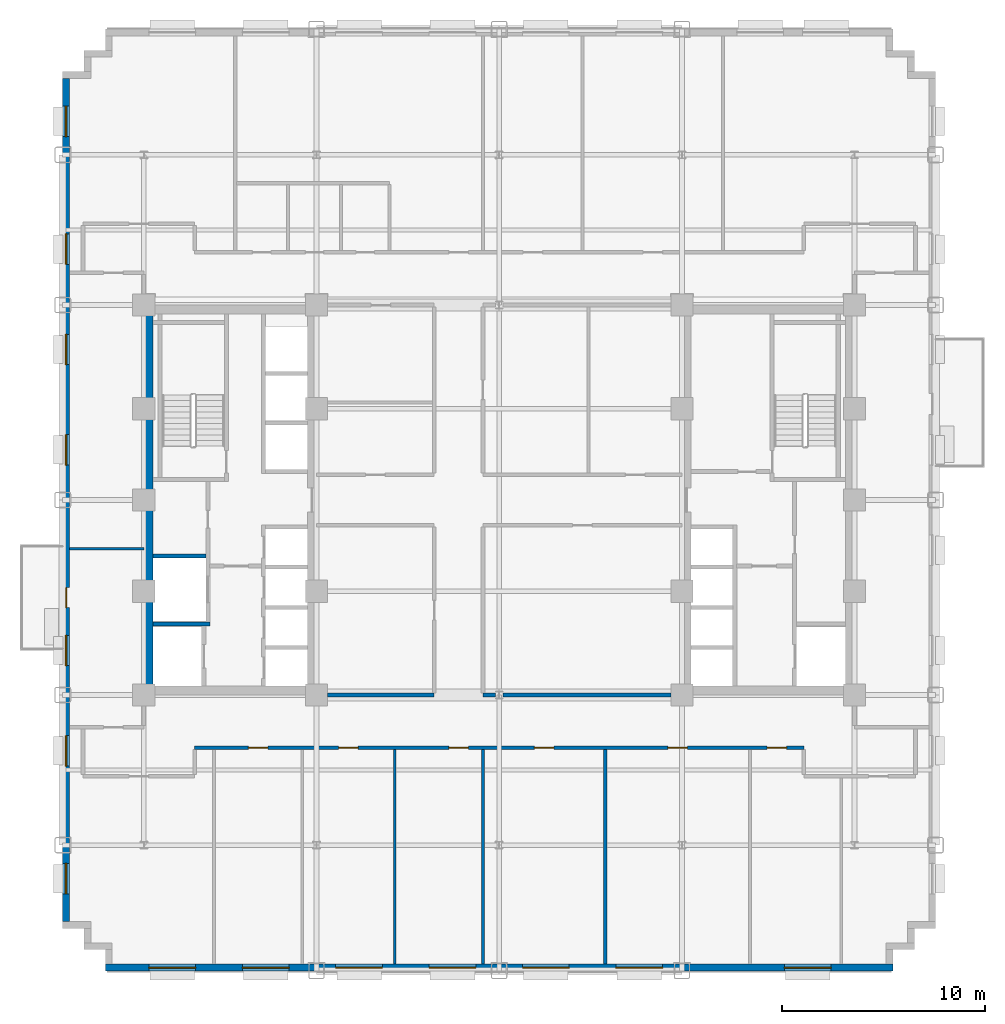
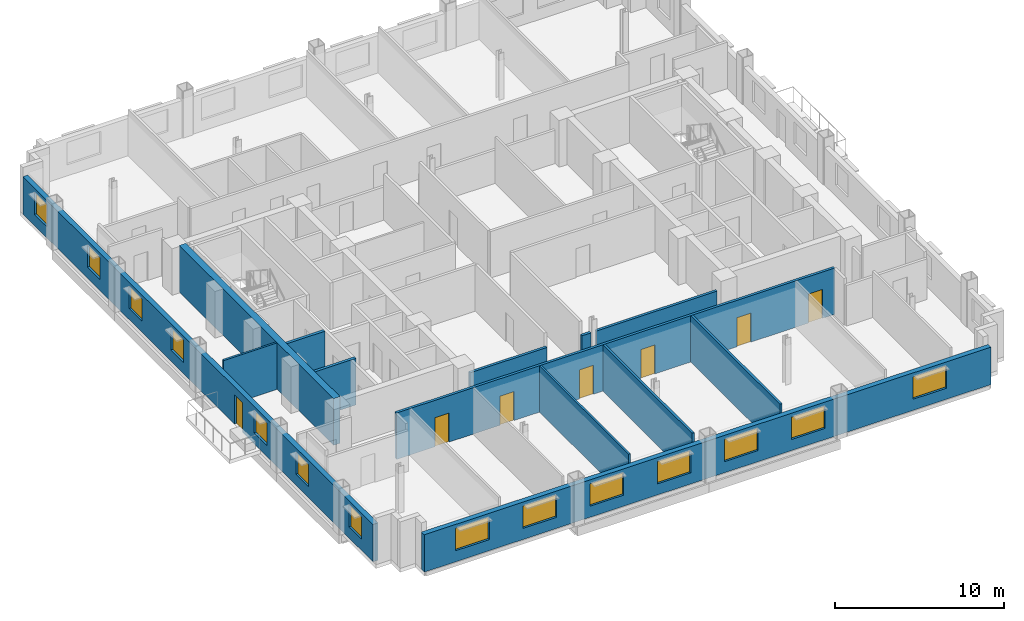
# One storey, part 6 of 14: 14 windows, 13 walls, 7 doors, 21 openings.
"""IFC4 building model written with IfcOpenShell, lengths in metres."""

from ifc_helpers import new_model, si_unit, direction, frame, frame_2d, origin, place, context, subcontext, project, spatial, rectangle, extrude, source, transform, mapped, material, layer, layer_set, type_object, type_shapes, element, fill, save


model = new_model("IFC4")

# Units and contexts
model_context = context("Model", 3, precision=1e-05, world=origin(), true_north=direction((0.0, 1.0)))
body_context = subcontext(model_context, "Body", "Model", "MODEL_VIEW")
ifc_project = project(units=[si_unit("LENGTHUNIT", "METRE"), si_unit("AREAUNIT", "SQUARE_METRE"), si_unit("VOLUMEUNIT", "CUBIC_METRE"), si_unit("PLANEANGLEUNIT", "RADIAN"), si_unit("MASSUNIT", "GRAM", prefix="KILO")], contexts=[model_context])

# Site, building, storey
site_placement = place(None, origin())
site = spatial("IfcSite", under=ifc_project, at=site_placement, CompositionType="ELEMENT")
building_placement = place(site_placement, origin())
building = spatial("IfcBuilding", under=site, at=building_placement, Name="Nuvemarco Arch Tower", CompositionType="ELEMENT")
storey_placement = place(building_placement, frame((0.0, 0.0, 71.39990234375)))
storey = spatial("IfcBuildingStorey", under=building, at=storey_placement, Name="L18", CompositionType="ELEMENT", Elevation=71.39990234375)

# Wall, openings, windows
ifc_material_1 = material(Name="Precast concrete C45/55", Category="concrete")
ifc_layer_1 = layer(ifc_material_1, 0.340087890625, Name="EW-LOW-340")
ifc_layer_set_1 = layer_set([ifc_layer_1], Name="Precast concrete C45/55")
wall_type_1 = type_object("IfcWallType", Name="EW-LOW-340", PredefinedType="STANDARD", material=ifc_layer_set_1)
wall_1_placement = place(storey_placement, frame((-19.39990234375, -23.030029296875, 0.0), z_axis=(0.0, 0.0, 1.0), x_axis=(1.0, 0.0, 0.0)))
wall_1 = element("IfcWall", 1, at=wall_1_placement, inside=storey, type_object=wall_type_1, Name="L18 exterior precast facade wall 1", PredefinedType="STANDARD", context=body_context, shape_type="SweptSolid", body=[
    extrude(rectangle(XDim=38.7998046875, YDim=0.340087890625, at=frame_2d((19.39990234375, 0.0))), origin(), (0.0, 0.0, 1.0), 2.705078125),
])
opening_1_placement = place(wall_1_placement, frame((2.14990234375, 0.0, 0.800048828125)))
opening_1 = element("IfcOpeningElement", 2, at=opening_1_placement, cuts=wall_1, Name="Opening WN-10", PredefinedType="OPENING", context=body_context, shape_type="SweptSolid", body=[
    extrude(rectangle(XDim=2.300048828125, YDim=1.6201171875, at=frame_2d((1.14990234375, 0.81005859375))), frame((0.0, 0.179931640625, 0.0), z_axis=(0.0, -1.0, 0.0), x_axis=(1.0, 0.0, 0.0)), (0.0, 0.0, 1.0), 0.360107421875),
])
opening_2_placement = place(wall_1_placement, frame((6.75, 0.0, 0.800048828125)))
opening_2 = element("IfcOpeningElement", 3, at=opening_2_placement, cuts=wall_1, Name="Opening WN-10", PredefinedType="OPENING", context=body_context, shape_type="SweptSolid", body=[
    extrude(rectangle(XDim=2.300048828125, YDim=1.6201171875, at=frame_2d((1.14990234375, 0.81005859375))), frame((0.0, 0.179931640625, 0.0), z_axis=(0.0, -1.0, 0.0), x_axis=(1.0, 0.0, 0.0)), (0.0, 0.0, 1.0), 0.360107421875),
])
opening_3_placement = place(wall_1_placement, frame((11.35009765625, 0.0, 0.800048828125)))
opening_3 = element("IfcOpeningElement", 4, at=opening_3_placement, cuts=wall_1, Name="Opening WN-10", PredefinedType="OPENING", context=body_context, shape_type="SweptSolid", body=[
    extrude(rectangle(XDim=2.300048828125, YDim=1.6201171875, at=frame_2d((1.14990234375, 0.81005859375))), frame((0.0, 0.179931640625, 0.0), z_axis=(0.0, -1.0, 0.0), x_axis=(1.0, 0.0, 0.0)), (0.0, 0.0, 1.0), 0.360107421875),
])
opening_4_placement = place(wall_1_placement, frame((15.949951171875, 0.0, 0.800048828125)))
opening_4 = element("IfcOpeningElement", 5, at=opening_4_placement, cuts=wall_1, Name="Opening WN-10", PredefinedType="OPENING", context=body_context, shape_type="SweptSolid", body=[
    extrude(rectangle(XDim=2.300048828125, YDim=1.6201171875, at=frame_2d((1.14990234375, 0.81005859375))), frame((0.0, 0.179931640625, 0.0), z_axis=(0.0, -1.0, 0.0), x_axis=(1.0, 0.0, 0.0)), (0.0, 0.0, 1.0), 0.360107421875),
])
opening_5_placement = place(wall_1_placement, frame((20.550048828125, 0.0, 0.800048828125)))
opening_5 = element("IfcOpeningElement", 6, at=opening_5_placement, cuts=wall_1, Name="Opening WN-10", PredefinedType="OPENING", context=body_context, shape_type="SweptSolid", body=[
    extrude(rectangle(XDim=2.300048828125, YDim=1.6201171875, at=frame_2d((1.14990234375, 0.81005859375))), frame((0.0, 0.179931640625, 0.0), z_axis=(0.0, -1.0, 0.0), x_axis=(1.0, 0.0, 0.0)), (0.0, 0.0, 1.0), 0.360107421875),
])
opening_6_placement = place(wall_1_placement, frame((25.14990234375, 0.0, 0.800048828125)))
opening_6 = element("IfcOpeningElement", 7, at=opening_6_placement, cuts=wall_1, Name="Opening WN-10", PredefinedType="OPENING", context=body_context, shape_type="SweptSolid", body=[
    extrude(rectangle(XDim=2.300048828125, YDim=1.6201171875, at=frame_2d((1.14990234375, 0.81005859375))), frame((0.0, 0.179931640625, 0.0), z_axis=(0.0, -1.0, 0.0), x_axis=(1.0, 0.0, 0.0)), (0.0, 0.0, 1.0), 0.360107421875),
])
opening_7_placement = place(wall_1_placement, frame((33.449951171875, 0.0, 0.800048828125)))
opening_7 = element("IfcOpeningElement", 8, at=opening_7_placement, cuts=wall_1, Name="Opening WN-10", PredefinedType="OPENING", context=body_context, shape_type="SweptSolid", body=[
    extrude(rectangle(XDim=2.300048828125, YDim=1.6201171875, at=frame_2d((1.14990234375, 0.81005859375))), frame((0.0, 0.179931640625, 0.0), z_axis=(0.0, -1.0, 0.0), x_axis=(1.0, 0.0, 0.0)), (0.0, 0.0, 1.0), 0.360107421875),
])
ifc_material_2 = material(Name="Insulated solar-control glass", Category="glass")
window_type_1 = type_object("IfcWindowType", Name="WN-STEP-2300x1700", PartitioningType="DOUBLE_PANEL_VERTICAL", PredefinedType="WINDOW", material=ifc_material_2)
shared_shape_1 = source(origin(), body_context, "Body", "SweptSolid", [
    extrude(rectangle(XDim=2.300048828125, YDim=1.6201171875, at=frame_2d((1.14990234375, 0.81005859375))), frame((0.0, 0.030029296875, 0.0), z_axis=(0.0, -1.0, 0.0), x_axis=(1.0, 0.0, 0.0)), (0.0, 0.0, 1.0), 0.06005859375),
])
type_shapes(window_type_1, [shared_shape_1])
window_1_placement = place(opening_1_placement, origin())
window_1 = element("IfcWindow", 9, at=window_1_placement, inside=storey, type_object=window_type_1, Name="L18 punched facade window 1", OverallHeight=1.6201171875, OverallWidth=2.300048828125, PartitioningType="SINGLE_PANEL", PredefinedType="WINDOW", context=body_context, shape_type="MappedRepresentation", body=[
    mapped(shared_shape_1, transform((0.0, 0.0, 0.0), scale=1.0)),
])
fill(opening_1, window_1)
window_2_placement = place(opening_2_placement, origin())
window_2 = element("IfcWindow", 10, at=window_2_placement, inside=storey, type_object=window_type_1, Name="L18 punched facade window 2", OverallHeight=1.6201171875, OverallWidth=2.300048828125, PartitioningType="SINGLE_PANEL", PredefinedType="WINDOW", context=body_context, shape_type="MappedRepresentation", body=[
    mapped(shared_shape_1, transform((0.0, 0.0, 0.0), scale=1.0)),
])
fill(opening_2, window_2)
window_3_placement = place(opening_3_placement, origin())
window_3 = element("IfcWindow", 11, at=window_3_placement, inside=storey, type_object=window_type_1, Name="L18 punched facade window 3", OverallHeight=1.6201171875, OverallWidth=2.300048828125, PartitioningType="SINGLE_PANEL", PredefinedType="WINDOW", context=body_context, shape_type="MappedRepresentation", body=[
    mapped(shared_shape_1, transform((0.0, 0.0, 0.0), scale=1.0)),
])
fill(opening_3, window_3)
window_4_placement = place(opening_4_placement, origin())
window_4 = element("IfcWindow", 12, at=window_4_placement, inside=storey, type_object=window_type_1, Name="L18 punched facade window 4", OverallHeight=1.6201171875, OverallWidth=2.300048828125, PartitioningType="SINGLE_PANEL", PredefinedType="WINDOW", context=body_context, shape_type="MappedRepresentation", body=[
    mapped(shared_shape_1, transform((0.0, 0.0, 0.0), scale=1.0)),
])
fill(opening_4, window_4)
window_5_placement = place(opening_5_placement, origin())
window_5 = element("IfcWindow", 13, at=window_5_placement, inside=storey, type_object=window_type_1, Name="L18 punched facade window 5", OverallHeight=1.6201171875, OverallWidth=2.300048828125, PartitioningType="SINGLE_PANEL", PredefinedType="WINDOW", context=body_context, shape_type="MappedRepresentation", body=[
    mapped(shared_shape_1, transform((0.0, 0.0, 0.0), scale=1.0)),
])
fill(opening_5, window_5)
window_6_placement = place(opening_6_placement, origin())
window_6 = element("IfcWindow", 14, at=window_6_placement, inside=storey, type_object=window_type_1, Name="L18 punched facade window 6", OverallHeight=1.6201171875, OverallWidth=2.300048828125, PartitioningType="SINGLE_PANEL", PredefinedType="WINDOW", context=body_context, shape_type="MappedRepresentation", body=[
    mapped(shared_shape_1, transform((0.0, 0.0, 0.0), scale=1.0)),
])
fill(opening_6, window_6)
window_7_placement = place(opening_7_placement, origin())
window_7 = element("IfcWindow", 15, at=window_7_placement, inside=storey, type_object=window_type_1, Name="L18 punched facade window 8", OverallHeight=1.6201171875, OverallWidth=2.300048828125, PartitioningType="SINGLE_PANEL", PredefinedType="WINDOW", context=body_context, shape_type="MappedRepresentation", body=[
    mapped(shared_shape_1, transform((0.0, 0.0, 0.0), scale=1.0)),
])
fill(opening_7, window_7)

# Wall, openings, door, windows
wall_2_placement = place(storey_placement, frame((-21.330078125, -20.763916015625, 0.0), z_axis=(0.0, 0.0, 1.0), x_axis=(0.0, 1.0, 0.0)))
wall_2 = element("IfcWall", 16, at=wall_2_placement, inside=storey, type_object=wall_type_1, Name="L18 exterior precast facade wall 16", PredefinedType="STANDARD", context=body_context, shape_type="SweptSolid", body=[
    extrude(rectangle(XDim=41.52783203125, YDim=0.340087890625, at=frame_2d((20.763916015625, 0.0))), origin(), (0.0, 0.0, 1.0), 2.705078125),
])
opening_8_placement = place(wall_2_placement, frame((15.464111328125, 0.0, 0.0)))
opening_8 = element("IfcOpeningElement", 17, at=opening_8_placement, cuts=wall_2, Name="Opening ED-6", PredefinedType="OPENING", context=body_context, shape_type="SweptSolid", body=[
    extrude(rectangle(XDim=0.97998046875, YDim=2.14990234375, at=frame_2d((0.489990234375, 1.074951171875))), frame((0.0, 0.179931640625, 0.0), z_axis=(0.0, -1.0, 0.0), x_axis=(1.0, 0.0, 0.0)), (0.0, 0.0, 1.0), 0.360107421875),
])
opening_9_placement = place(wall_2_placement, frame((1.37060546875, 0.0, 0.800048828125)))
opening_9 = element("IfcOpeningElement", 18, at=opening_9_placement, cuts=wall_2, Name="Opening WN-11", PredefinedType="OPENING", context=body_context, shape_type="SweptSolid", body=[
    extrude(rectangle(XDim=1.5, YDim=1.60009765625, at=frame_2d((0.75, 0.800048828125))), frame((0.0, 0.179931640625, 0.0), z_axis=(0.0, -1.0, 0.0), x_axis=(1.0, 0.0, 0.0)), (0.0, 0.0, 1.0), 0.360107421875),
])
opening_10_placement = place(wall_2_placement, frame((7.66162109375, 0.0, 0.800048828125)))
opening_10 = element("IfcOpeningElement", 19, at=opening_10_placement, cuts=wall_2, Name="Opening WN-11", PredefinedType="OPENING", context=body_context, shape_type="SweptSolid", body=[
    extrude(rectangle(XDim=1.5, YDim=1.60009765625, at=frame_2d((0.75, 0.800048828125))), frame((0.0, 0.179931640625, 0.0), z_axis=(0.0, -1.0, 0.0), x_axis=(1.0, 0.0, 0.0)), (0.0, 0.0, 1.0), 0.360107421875),
])
opening_11_placement = place(wall_2_placement, frame((12.6025390625, 0.0, 0.800048828125)))
opening_11 = element("IfcOpeningElement", 20, at=opening_11_placement, cuts=wall_2, Name="Opening WN-11", PredefinedType="OPENING", context=body_context, shape_type="SweptSolid", body=[
    extrude(rectangle(XDim=1.5, YDim=1.60009765625, at=frame_2d((0.75, 0.800048828125))), frame((0.0, 0.179931640625, 0.0), z_axis=(0.0, -1.0, 0.0), x_axis=(1.0, 0.0, 0.0)), (0.0, 0.0, 1.0), 0.360107421875),
])
opening_12_placement = place(wall_2_placement, frame((22.484619140625, 0.0, 0.800048828125)))
opening_12 = element("IfcOpeningElement", 21, at=opening_12_placement, cuts=wall_2, Name="Opening WN-11", PredefinedType="OPENING", context=body_context, shape_type="SweptSolid", body=[
    extrude(rectangle(XDim=1.5, YDim=1.60009765625, at=frame_2d((0.75, 0.800048828125))), frame((0.0, 0.179931640625, 0.0), z_axis=(0.0, -1.0, 0.0), x_axis=(1.0, 0.0, 0.0)), (0.0, 0.0, 1.0), 0.360107421875),
])
opening_13_placement = place(wall_2_placement, frame((27.425537109375, 0.0, 0.800048828125)))
opening_13 = element("IfcOpeningElement", 22, at=opening_13_placement, cuts=wall_2, Name="Opening WN-11", PredefinedType="OPENING", context=body_context, shape_type="SweptSolid", body=[
    extrude(rectangle(XDim=1.5, YDim=1.60009765625, at=frame_2d((0.75, 0.800048828125))), frame((0.0, 0.179931640625, 0.0), z_axis=(0.0, -1.0, 0.0), x_axis=(1.0, 0.0, 0.0)), (0.0, 0.0, 1.0), 0.360107421875),
])
opening_14_placement = place(wall_2_placement, frame((32.366455078125, 0.0, 0.800048828125)))
opening_14 = element("IfcOpeningElement", 23, at=opening_14_placement, cuts=wall_2, Name="Opening WN-11", PredefinedType="OPENING", context=body_context, shape_type="SweptSolid", body=[
    extrude(rectangle(XDim=1.5, YDim=1.60009765625, at=frame_2d((0.75, 0.800048828125))), frame((0.0, 0.179931640625, 0.0), z_axis=(0.0, -1.0, 0.0), x_axis=(1.0, 0.0, 0.0)), (0.0, 0.0, 1.0), 0.360107421875),
])
opening_15_placement = place(wall_2_placement, frame((38.657470703125, 0.0, 0.800048828125)))
opening_15 = element("IfcOpeningElement", 24, at=opening_15_placement, cuts=wall_2, Name="Opening WN-11", PredefinedType="OPENING", context=body_context, shape_type="SweptSolid", body=[
    extrude(rectangle(XDim=1.5, YDim=1.60009765625, at=frame_2d((0.75, 0.800048828125))), frame((0.0, 0.179931640625, 0.0), z_axis=(0.0, -1.0, 0.0), x_axis=(1.0, 0.0, 0.0)), (0.0, 0.0, 1.0), 0.360107421875),
])
ifc_material_3 = material(Name="Anodised bronze and laminated glass", Category="glass")
door_type_1 = type_object("IfcDoorType", Name="DR-EXT-BALC", OperationType="NOTDEFINED", PredefinedType="DOOR", material=ifc_material_3)
shared_shape_2 = source(origin(), body_context, "Body", "SweptSolid", [
    extrude(rectangle(XDim=0.97998046875, YDim=2.14990234375, at=frame_2d((0.489990234375, 1.074951171875))), frame((0.0, 0.02490234375, 0.0), z_axis=(0.0, -1.0, 0.0), x_axis=(1.0, 0.0, 0.0)), (0.0, 0.0, 1.0), 0.050048828125),
])
type_shapes(door_type_1, [shared_shape_2])
door_1_placement = place(opening_8_placement, origin())
door_1 = element("IfcDoor", 25, at=door_1_placement, inside=storey, type_object=door_type_1, Name="L18 tree balcony access door", OperationType="SINGLE_SWING_LEFT", OverallHeight=2.14990234375, OverallWidth=0.97998046875, PredefinedType="DOOR", context=body_context, shape_type="MappedRepresentation", body=[
    mapped(shared_shape_2, transform((0.0, 0.0, 0.0), scale=1.0)),
])
fill(opening_8, door_1)
window_type_2 = type_object("IfcWindowType", Name="WN-STEP-1500x1850", PartitioningType="SINGLE_PANEL", PredefinedType="WINDOW", material=ifc_material_2)
shared_shape_3 = source(origin(), body_context, "Body", "SweptSolid", [
    extrude(rectangle(XDim=1.5, YDim=1.60009765625, at=frame_2d((0.75, 0.800048828125))), frame((0.0, 0.030029296875, 0.0), z_axis=(0.0, -1.0, 0.0), x_axis=(1.0, 0.0, 0.0)), (0.0, 0.0, 1.0), 0.06005859375),
])
type_shapes(window_type_2, [shared_shape_3])
window_8_placement = place(opening_9_placement, origin())
window_8 = element("IfcWindow", 26, at=window_8_placement, inside=storey, type_object=window_type_2, Name="L18 punched facade window 1", OverallHeight=1.60009765625, OverallWidth=1.5, PartitioningType="SINGLE_PANEL", PredefinedType="WINDOW", context=body_context, shape_type="MappedRepresentation", body=[
    mapped(shared_shape_3, transform((0.0, 0.0, 0.0), scale=1.0)),
])
fill(opening_9, window_8)
window_9_placement = place(opening_10_placement, origin())
window_9 = element("IfcWindow", 27, at=window_9_placement, inside=storey, type_object=window_type_2, Name="L18 punched facade window 2", OverallHeight=1.60009765625, OverallWidth=1.5, PartitioningType="SINGLE_PANEL", PredefinedType="WINDOW", context=body_context, shape_type="MappedRepresentation", body=[
    mapped(shared_shape_3, transform((0.0, 0.0, 0.0), scale=1.0)),
])
fill(opening_10, window_9)
window_10_placement = place(opening_11_placement, origin())
window_10 = element("IfcWindow", 28, at=window_10_placement, inside=storey, type_object=window_type_2, Name="L18 punched facade window 3", OverallHeight=1.60009765625, OverallWidth=1.5, PartitioningType="SINGLE_PANEL", PredefinedType="WINDOW", context=body_context, shape_type="MappedRepresentation", body=[
    mapped(shared_shape_3, transform((0.0, 0.0, 0.0), scale=1.0)),
])
fill(opening_11, window_10)
window_11_placement = place(opening_12_placement, origin())
window_11 = element("IfcWindow", 29, at=window_11_placement, inside=storey, type_object=window_type_2, Name="L18 punched facade window 5", OverallHeight=1.60009765625, OverallWidth=1.5, PartitioningType="SINGLE_PANEL", PredefinedType="WINDOW", context=body_context, shape_type="MappedRepresentation", body=[
    mapped(shared_shape_3, transform((0.0, 0.0, 0.0), scale=1.0)),
])
fill(opening_12, window_11)
window_12_placement = place(opening_13_placement, origin())
window_12 = element("IfcWindow", 30, at=window_12_placement, inside=storey, type_object=window_type_2, Name="L18 punched facade window 6", OverallHeight=1.60009765625, OverallWidth=1.5, PartitioningType="SINGLE_PANEL", PredefinedType="WINDOW", context=body_context, shape_type="MappedRepresentation", body=[
    mapped(shared_shape_3, transform((0.0, 0.0, 0.0), scale=1.0)),
])
fill(opening_13, window_12)
window_13_placement = place(opening_14_placement, origin())
window_13 = element("IfcWindow", 31, at=window_13_placement, inside=storey, type_object=window_type_2, Name="L18 punched facade window 7", OverallHeight=1.60009765625, OverallWidth=1.5, PartitioningType="SINGLE_PANEL", PredefinedType="WINDOW", context=body_context, shape_type="MappedRepresentation", body=[
    mapped(shared_shape_3, transform((0.0, 0.0, 0.0), scale=1.0)),
])
fill(opening_14, window_13)
window_14_placement = place(opening_15_placement, origin())
window_14 = element("IfcWindow", 32, at=window_14_placement, inside=storey, type_object=window_type_2, Name="L18 punched facade window 8", OverallHeight=1.60009765625, OverallWidth=1.5, PartitioningType="SINGLE_PANEL", PredefinedType="WINDOW", context=body_context, shape_type="MappedRepresentation", body=[
    mapped(shared_shape_3, transform((0.0, 0.0, 0.0), scale=1.0)),
])
fill(opening_15, window_14)

# Wall
ifc_material_4 = material(Name="Concrete C60/75", Category="concrete")
ifc_layer_2 = layer(ifc_material_4, 0.449951171875, Name="WL-CORE-450")
ifc_layer_set_2 = layer_set([ifc_layer_2], Name="Concrete C60/75")
wall_type_2 = type_object("IfcWallType", Name="WL-CORE-450", PredefinedType="SHEAR", material=ifc_layer_set_2)
wall_3_placement = place(storey_placement, frame((-17.27490234375, -9.155029296875, 0.0), z_axis=(0.0, 0.0, 1.0), x_axis=(0.0, 1.0, 0.0)))
element("IfcWall", 33, at=wall_3_placement, inside=storey, type_object=wall_type_2, Name="L18 W-core shear wall W", PredefinedType="SHEAR", context=body_context, shape_type="SweptSolid", body=[
    extrude(rectangle(XDim=18.31005859375, YDim=0.449951171875, at=frame_2d((9.155029296875, 0.0))), origin(), (0.0, 0.0, 1.0), 3.3701171875),
])

# Wall, openings, doors
ifc_material_5 = material(Name="Fire-rated gypsum drywall partition")
ifc_layer_3 = layer(ifc_material_5, 0.179931640625, Name="WL-CORR-180")
ifc_layer_set_3 = layer_set([ifc_layer_3], Name="Fire-rated gypsum drywall partition")
wall_type_3 = type_object("IfcWallType", Name="WL-CORR-180", PredefinedType="PARTITIONING", material=ifc_layer_set_3)
wall_4_placement = place(storey_placement, frame((-15.0, -12.199951171875, 0.0), z_axis=(0.0, 0.0, 1.0), x_axis=(1.0, 0.0, 0.0)))
wall_4 = element("IfcWall", 34, at=wall_4_placement, inside=storey, type_object=wall_type_3, Name="L18 interior wall IW-L18-003", PredefinedType="PARTITIONING", context=body_context, shape_type="SweptSolid", body=[
    extrude(rectangle(XDim=30.0, YDim=0.179931640625, at=frame_2d((15.0, 0.0))), origin(), (0.0, 0.0, 1.0), 3.360107421875),
])
opening_16_placement = place(wall_4_placement, frame((23.31005859375, 0.0, 0.0)))
opening_16 = element("IfcOpeningElement", 35, at=opening_16_placement, cuts=wall_4, Name="Opening FD-5", PredefinedType="OPENING", context=body_context, shape_type="SweptSolid", body=[
    extrude(rectangle(XDim=0.9599609375, YDim=2.10009765625, at=frame_2d((0.47998046875, 1.050048828125))), frame((0.0, 0.099853515625, 0.0), z_axis=(0.0, -1.0, 0.0), x_axis=(1.0, 0.0, 0.0)), (0.0, 0.0, 1.0), 0.199951171875),
])
opening_17_placement = place(wall_4_placement, frame((16.72998046875, 0.0, 0.0)))
opening_17 = element("IfcOpeningElement", 36, at=opening_17_placement, cuts=wall_4, Name="Opening FD-5", PredefinedType="OPENING", context=body_context, shape_type="SweptSolid", body=[
    extrude(rectangle(XDim=0.9599609375, YDim=2.10009765625, at=frame_2d((0.47998046875, 1.050048828125))), frame((0.0, 0.099853515625, 0.0), z_axis=(0.0, -1.0, 0.0), x_axis=(1.0, 0.0, 0.0)), (0.0, 0.0, 1.0), 0.199951171875),
])
opening_18_placement = place(wall_4_placement, frame((7.094970703125, 0.0, 0.0)))
opening_18 = element("IfcOpeningElement", 37, at=opening_18_placement, cuts=wall_4, Name="Opening FD-5", PredefinedType="OPENING", context=body_context, shape_type="SweptSolid", body=[
    extrude(rectangle(XDim=0.9599609375, YDim=2.10009765625, at=frame_2d((0.47998046875, 1.050048828125))), frame((0.0, 0.099853515625, 0.0), z_axis=(0.0, -1.0, 0.0), x_axis=(1.0, 0.0, 0.0)), (0.0, 0.0, 1.0), 0.199951171875),
])
opening_19_placement = place(wall_4_placement, frame((2.64501953125, 0.0, 0.0)))
opening_19 = element("IfcOpeningElement", 38, at=opening_19_placement, cuts=wall_4, Name="Opening FD-5", PredefinedType="OPENING", context=body_context, shape_type="SweptSolid", body=[
    extrude(rectangle(XDim=0.9599609375, YDim=2.10009765625, at=frame_2d((0.47998046875, 1.050048828125))), frame((0.0, 0.099853515625, 0.0), z_axis=(0.0, -1.0, 0.0), x_axis=(1.0, 0.0, 0.0)), (0.0, 0.0, 1.0), 0.199951171875),
])
opening_20_placement = place(wall_4_placement, frame((28.199951171875, 0.0, 0.0)))
opening_20 = element("IfcOpeningElement", 39, at=opening_20_placement, cuts=wall_4, Name="Opening FD-5", PredefinedType="OPENING", context=body_context, shape_type="SweptSolid", body=[
    extrude(rectangle(XDim=0.9599609375, YDim=2.10009765625, at=frame_2d((0.47998046875, 1.050048828125))), frame((0.0, 0.099853515625, 0.0), z_axis=(0.0, -1.0, 0.0), x_axis=(1.0, 0.0, 0.0)), (0.0, 0.0, 1.0), 0.199951171875),
])
opening_21_placement = place(wall_4_placement, frame((12.52001953125, 0.0, 0.0)))
opening_21 = element("IfcOpeningElement", 40, at=opening_21_placement, cuts=wall_4, Name="Opening FD-5", PredefinedType="OPENING", context=body_context, shape_type="SweptSolid", body=[
    extrude(rectangle(XDim=0.9599609375, YDim=2.10009765625, at=frame_2d((0.47998046875, 1.050048828125))), frame((0.0, 0.099853515625, 0.0), z_axis=(0.0, -1.0, 0.0), x_axis=(1.0, 0.0, 0.0)), (0.0, 0.0, 1.0), 0.199951171875),
])
ifc_material_6 = material(Name="Timber fire door", Category="wood")
door_type_2 = type_object("IfcDoorType", Name="DR-CORR-FD", OperationType="NOTDEFINED", PredefinedType="DOOR", material=ifc_material_6)
shared_shape_4 = source(origin(), body_context, "Body", "SweptSolid", [
    extrude(rectangle(XDim=0.9599609375, YDim=2.10009765625, at=frame_2d((0.47998046875, 1.050048828125))), frame((0.0, 0.02490234375, 0.0), z_axis=(0.0, -1.0, 0.0), x_axis=(1.0, 0.0, 0.0)), (0.0, 0.0, 1.0), 0.050048828125),
])
type_shapes(door_type_2, [shared_shape_4])
door_2_placement = place(opening_16_placement, origin())
door_2 = element("IfcDoor", 41, at=door_2_placement, inside=storey, type_object=door_type_2, Name="L18 door DR-L18-S_6", OperationType="SINGLE_SWING_RIGHT", OverallHeight=2.10009765625, OverallWidth=0.9599609375, PredefinedType="DOOR", context=body_context, shape_type="MappedRepresentation", body=[
    mapped(shared_shape_4, transform((0.0, 0.0, 0.0), scale=1.0)),
])
fill(opening_16, door_2)
door_3_placement = place(opening_17_placement, origin())
door_3 = element("IfcDoor", 42, at=door_3_placement, inside=storey, type_object=door_type_2, Name="L18 door DR-L18-S_5", OperationType="SINGLE_SWING_RIGHT", OverallHeight=2.10009765625, OverallWidth=0.9599609375, PredefinedType="DOOR", context=body_context, shape_type="MappedRepresentation", body=[
    mapped(shared_shape_4, transform((0.0, 0.0, 0.0), scale=1.0)),
])
fill(opening_17, door_3)
door_4_placement = place(opening_18_placement, origin())
door_4 = element("IfcDoor", 43, at=door_4_placement, inside=storey, type_object=door_type_2, Name="L18 door DR-L18-S_3", OperationType="SINGLE_SWING_RIGHT", OverallHeight=2.10009765625, OverallWidth=0.9599609375, PredefinedType="DOOR", context=body_context, shape_type="MappedRepresentation", body=[
    mapped(shared_shape_4, transform((0.0, 0.0, 0.0), scale=1.0)),
])
fill(opening_18, door_4)
door_5_placement = place(opening_19_placement, origin())
door_5 = element("IfcDoor", 44, at=door_5_placement, inside=storey, type_object=door_type_2, Name="L18 door DR-L18-S_2", OperationType="SINGLE_SWING_LEFT", OverallHeight=2.10009765625, OverallWidth=0.9599609375, PredefinedType="DOOR", context=body_context, shape_type="MappedRepresentation", body=[
    mapped(shared_shape_4, transform((0.0, 0.0, 0.0), scale=1.0)),
])
fill(opening_19, door_5)
door_6_placement = place(opening_20_placement, origin())
door_6 = element("IfcDoor", 45, at=door_6_placement, inside=storey, type_object=door_type_2, Name="L18 door DR-L18-S_7", OperationType="SINGLE_SWING_RIGHT", OverallHeight=2.10009765625, OverallWidth=0.9599609375, PredefinedType="DOOR", context=body_context, shape_type="MappedRepresentation", body=[
    mapped(shared_shape_4, transform((0.0, 0.0, 0.0), scale=1.0)),
])
fill(opening_20, door_6)
door_7_placement = place(opening_21_placement, origin())
door_7 = element("IfcDoor", 46, at=door_7_placement, inside=storey, type_object=door_type_2, Name="L18 door DR-L18-S_4", OperationType="SINGLE_SWING_RIGHT", OverallHeight=2.10009765625, OverallWidth=0.9599609375, PredefinedType="DOOR", context=body_context, shape_type="MappedRepresentation", body=[
    mapped(shared_shape_4, transform((0.0, 0.0, 0.0), scale=1.0)),
])
fill(opening_21, door_7)

# Walls
wall_5_placement = place(storey_placement, frame((-8.4541015625, -9.60009765625, 0.0), z_axis=(0.0, 0.0, 1.0), x_axis=(1.0, 0.0, 0.0)))
element("IfcWall", 47, at=wall_5_placement, inside=storey, type_object=wall_type_3, Name="L18 interior wall IW-L18-006", PredefinedType="PARTITIONING", context=body_context, shape_type="SweptSolid", body=[
    extrude(rectangle(XDim=5.254150390625, YDim=0.179931640625, at=frame_2d((2.626953125, 0.0))), origin(), (0.0, 0.0, 1.0), 2.405029296875),
])
wall_6_placement = place(storey_placement, frame((-0.800048828125, -9.60009765625, 0.0), z_axis=(0.0, 0.0, 1.0), x_axis=(1.0, 0.0, 0.0)))
element("IfcWall", 48, at=wall_6_placement, inside=storey, type_object=wall_type_3, Name="L18 interior wall IW-L18-007", PredefinedType="PARTITIONING", context=body_context, shape_type="SweptSolid", body=[
    extrude(rectangle(XDim=0.6240234375, YDim=0.179931640625, at=frame_2d((0.31201171875, 0.0))), origin(), (0.0, 0.0, 1.0), 2.405029296875),
])
wall_7_placement = place(storey_placement, frame((0.176025390625, -9.60009765625, 0.0), z_axis=(0.0, 0.0, 1.0), x_axis=(1.0, 0.0, 0.0)))
element("IfcWall", 49, at=wall_7_placement, inside=storey, type_object=wall_type_3, Name="L18 interior wall IW-L18-008", PredefinedType="PARTITIONING", context=body_context, shape_type="SweptSolid", body=[
    extrude(rectangle(XDim=8.278076171875, YDim=0.179931640625, at=frame_2d((4.13916015625, 0.0))), origin(), (0.0, 0.0, 1.0), 2.405029296875),
])
ifc_material_7 = material(Name="Glazed acoustic office partition")
ifc_layer_4 = layer(ifc_material_7, 0.1298828125, Name="WL-EXEC-130")
ifc_layer_set_4 = layer_set([ifc_layer_4], Name="Glazed acoustic office partition")
wall_type_4 = type_object("IfcWallType", Name="WL-EXEC-130", PredefinedType="PARTITIONING", material=ifc_layer_set_4)
wall_8_placement = place(storey_placement, frame((-5.14990234375, -22.860107421875, 0.0), z_axis=(0.0, 0.0, 1.0), x_axis=(0.0, 1.0, 0.0)))
element("IfcWall", 50, at=wall_8_placement, inside=storey, type_object=wall_type_4, Name="L18 interior wall IW-L18-036", PredefinedType="PARTITIONING", context=body_context, shape_type="SweptSolid", body=[
    extrude(rectangle(XDim=10.57421875, YDim=0.1298828125, at=frame_2d((5.287109375, 0.0))), origin(), (0.0, 0.0, 1.0), 3.360107421875),
])
ifc_material_8 = material(Name="Gypsum plasterboard partition")
ifc_layer_5 = layer(ifc_material_8, 0.139892578125, Name="WL-ROOM-140")
ifc_layer_set_5 = layer_set([ifc_layer_5], Name="Gypsum plasterboard partition")
wall_type_5 = type_object("IfcWallType", Name="WL-ROOM-140", PredefinedType="PARTITIONING", material=ifc_layer_set_5)
wall_9_placement = place(storey_placement, frame((-21.159912109375, -2.39990234375, 0.0), z_axis=(0.0, 0.0, 1.0), x_axis=(1.0, 0.0, 0.0)))
element("IfcWall", 51, at=wall_9_placement, inside=storey, type_object=wall_type_5, Name="L18 interior wall IW-L18-009", PredefinedType="PARTITIONING", context=body_context, shape_type="SweptSolid", body=[
    extrude(rectangle(XDim=3.659912109375, YDim=0.139892578125, at=frame_2d((1.830078125, 0.0))), origin(), (0.0, 0.0, 1.0), 3.360107421875),
])
ifc_material_9 = material(Name="Concrete C50/60", Category="concrete")
ifc_layer_6 = layer(ifc_material_9, 0.199951171875, Name="WL-SHAFT-220")
ifc_layer_set_6 = layer_set([ifc_layer_6], Name="Concrete C50/60")
wall_type_6 = type_object("IfcWallType", Name="WL-SHAFT-220", PredefinedType="SHEAR", material=ifc_layer_set_6)
wall_10_placement = place(storey_placement, frame((-17.054931640625, -6.10009765625, 0.0), z_axis=(0.0, 0.0, 1.0), x_axis=(1.0, 0.0, 0.0)))
element("IfcWall", 52, at=wall_10_placement, inside=storey, type_object=wall_type_6, Name="L18 structural shaft wall SW-L18-W-SH1", PredefinedType="SHEAR", context=body_context, shape_type="SweptSolid", body=[
    extrude(rectangle(XDim=2.804931640625, YDim=0.199951171875, at=frame_2d((1.40234375, 0.0))), origin(), (0.0, 0.0, 1.0), 3.3701171875),
])
wall_11_placement = place(storey_placement, frame((-17.054931640625, -2.75, 0.0), z_axis=(0.0, 0.0, 1.0), x_axis=(1.0, 0.0, 0.0)))
element("IfcWall", 53, at=wall_11_placement, inside=storey, type_object=wall_type_6, Name="L18 structural shaft wall SW-L18-W-SH2", PredefinedType="SHEAR", context=body_context, shape_type="SweptSolid", body=[
    extrude(rectangle(XDim=2.60986328125, YDim=0.199951171875, at=frame_2d((1.304931640625, 0.0))), origin(), (0.0, 0.0, 1.0), 3.3701171875),
])
ifc_material_10 = material(Name="Acoustic gypsum drywall partition")
ifc_layer_7 = layer(ifc_material_10, 0.159912109375, Name="WL-TENANT-160")
ifc_layer_set_7 = layer_set([ifc_layer_7], Name="Acoustic gypsum drywall partition")
wall_type_7 = type_object("IfcWallType", Name="WL-TENANT-160", PredefinedType="PARTITIONING", material=ifc_layer_set_7)
for number, where, z_axis, x_axis, name in (
    (54, (-0.800048828125, -22.860107421875, 0.0), (0.0, 0.0, 1.0), (0.0, 1.0, 0.0), "L18 interior wall IW-L18-039"),
    (55, (5.219970703125, -22.860107421875, 0.0), (0.0, 0.0, 1.0), (0.0, 1.0, 0.0), "L18 interior wall IW-L18-045"),
):
    element("IfcWall", number, at=place(storey_placement, frame(where, z_axis=z_axis, x_axis=x_axis)), inside=storey, type_object=wall_type_7, Name=name, PredefinedType="PARTITIONING", context=body_context, shape_type="SweptSolid", body=[
        extrude(rectangle(XDim=10.57421875, YDim=0.159912109375, at=frame_2d((5.287109375, 0.0))), origin(), (0.0, 0.0, 1.0), 3.360107421875),
    ])

save(model, "model.ifc")
